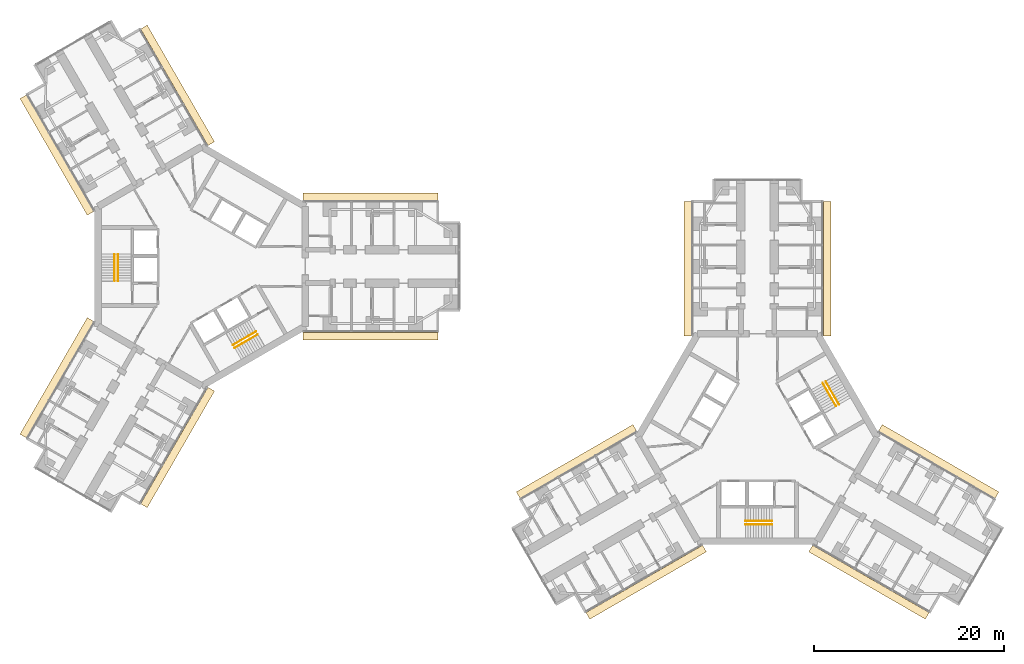
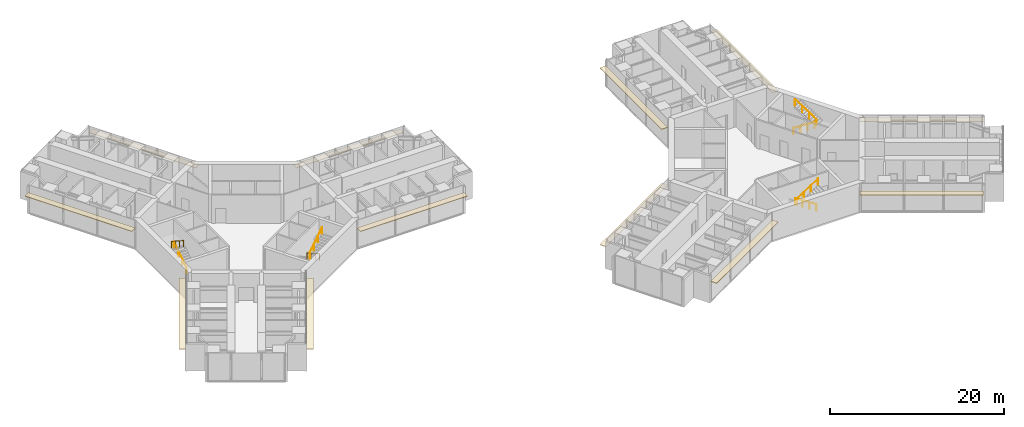
# One storey, part 24 of 24: 12 coverings, 8 railings.
"""IFC4 building model written with IfcOpenShell, lengths in metres."""

import ifcopenshell
import ifcopenshell.guid

model = None  # the IFC model being written
_history = None  # IfcOwnerHistory: only IFC2X3 demands one
_inside = {}  # id of a spatial element -> (the spatial element, [elements in it])
_under = {}  # id of a project, library or spatial element -> (it, [spatial elements below it])
_declared = {}  # id of a project -> (the project, [libraries it declares])
_typed = {}  # id of a type object -> (the type object, [elements of that type])
_made_of = {}  # id of a material, layer set ... -> (it, [elements and type objects made of it])


def new_model(schema):
    """Start an empty IFC model of exactly this schema.

    Asked for "IFC4X3", IfcOpenShell would pick the latest addendum, in which some entities
    have other attributes; the version numbers below select the first issue.
    IFC2X3 requires an IfcOwnerHistory on every rooted entity: one is made here for all.
    """
    global model, _history
    if schema == "IFC4X3":
        model = ifcopenshell.file(schema_version=(4, 3, 0, 0))
    else:
        model = ifcopenshell.file(schema=schema)
    _inside.clear()
    _under.clear()
    _declared.clear()
    _typed.clear()
    _made_of.clear()
    _history = None
    if model.schema == "IFC2X3":
        org = make("IfcOrganization", Name="unknown")
        user = make(
            "IfcPersonAndOrganization",
            ThePerson=make("IfcPerson", FamilyName="unknown"),
            TheOrganization=org,
        )
        app = make(
            "IfcApplication",
            ApplicationDeveloper=org,
            Version="unknown",
            ApplicationFullName="unknown",
            ApplicationIdentifier="unknown",
        )
        _history = make(
            "IfcOwnerHistory",
            OwningUser=user,
            OwningApplication=app,
            ChangeAction="ADDED",
            CreationDate=0,
        )
    return model


def make(cls, **values):
    """One entity of the class cls with the attributes given. An attribute that is None is left unset."""
    return model.create_entity(
        cls, **{name: value for name, value in values.items() if value is not None}
    )


def rooted(cls, **values):
    """An entity with a GlobalId (a new one), such as an element, a storey or a relation."""
    return make(cls, GlobalId=ifcopenshell.guid.new(), OwnerHistory=_history, **values)


def si_unit(unit_type, name, prefix=None):
    """IfcSIUnit, for example si_unit("LENGTHUNIT", "METRE", prefix="MILLI")."""
    return make("IfcSIUnit", UnitType=unit_type, Prefix=prefix, Name=name)


def assignment(units):
    """IfcUnitAssignment: the units of a project."""
    return None if units is None else make("IfcUnitAssignment", Units=units)


def point(xyz):
    """IfcCartesianPoint."""
    return None if xyz is None else make("IfcCartesianPoint", Coordinates=xyz)


def direction(xyz):
    """IfcDirection."""
    return None if xyz is None else make("IfcDirection", DirectionRatios=xyz)


def frame(location, z_axis=None, x_axis=None):
    """IfcAxis2Placement3D, a coordinate frame: its origin and axes. An axis left out is left unset."""
    return make(
        "IfcAxis2Placement3D",
        Location=point(location),
        Axis=direction(z_axis),
        RefDirection=direction(x_axis),
    )


def frame_2d(location, x_axis=None):
    """IfcAxis2Placement2D, a coordinate frame in the plane: its origin and x axis."""
    return make(
        "IfcAxis2Placement2D", Location=point(location), RefDirection=direction(x_axis)
    )


def origin():
    """The frame at (0, 0, 0) with its axes left unset."""
    return frame((0.0, 0.0, 0.0))


def origin_2d():
    """The frame at (0, 0) in the plane with its x axis left unset."""
    return frame_2d((0.0, 0.0))


def place(relative_to, where):
    """IfcLocalPlacement: puts the frame where relative to a parent placement (None: the world)."""
    return make(
        "IfcLocalPlacement", PlacementRelTo=relative_to, RelativePlacement=where
    )


def context(
    kind, dimensions, precision=None, world=None, true_north=None, identifier=None
):
    """IfcGeometricRepresentationContext, for example the 3D "Model" context."""
    return make(
        "IfcGeometricRepresentationContext",
        ContextIdentifier=identifier,
        ContextType=kind,
        CoordinateSpaceDimension=dimensions,
        Precision=precision,
        WorldCoordinateSystem=world,
        TrueNorth=true_north,
    )


def subcontext(parent, identifier, kind, view, scale=None):
    """IfcGeometricRepresentationSubContext, for example "Body" below "Model"."""
    return make(
        "IfcGeometricRepresentationSubContext",
        ContextIdentifier=identifier,
        ContextType=kind,
        ParentContext=parent,
        TargetScale=scale,
        TargetView=view,
    )


def project(units=None, contexts=None):
    """IfcProject with its units and contexts."""
    return rooted(
        "IfcProject",
        Name="project",
        RepresentationContexts=contexts,
        UnitsInContext=assignment(units),
    )


def spatial(cls, under=None, at=None, **own):
    """A site, building, storey or space (cls), placed at a placement, below another one or the project."""
    s = rooted(cls, ObjectPlacement=at, **own)
    if under is not None:
        _under.setdefault(under.id(), (under, []))[1].append(s)
    return s


def profile(cls, at=None, kind="AREA", **sizes):
    """A parametric profile (cls). Its sizes go by their IFC names, for example OverallWidth=200.0."""
    return make(cls, ProfileType=kind, Position=at, **sizes)


def rectangle(**sizes):
    """IfcRectangleProfileDef."""
    return profile("IfcRectangleProfileDef", **sizes)


def circle(**sizes):
    """IfcCircleProfileDef."""
    return profile("IfcCircleProfileDef", **sizes)


def extrude(swept, where, along, depth):
    """IfcExtrudedAreaSolid: the profile swept, set in the frame where, extruded along a direction by depth."""
    return make(
        "IfcExtrudedAreaSolid",
        SweptArea=swept,
        Position=where,
        ExtrudedDirection=direction(along),
        Depth=depth,
    )


def shape(context_of_items, identifier, shape_type, items):
    """IfcShapeRepresentation: the items that make up one representation, for example the "Body"."""
    return make(
        "IfcShapeRepresentation",
        ContextOfItems=context_of_items,
        RepresentationIdentifier=identifier,
        RepresentationType=shape_type,
        Items=items,
    )


def material(Name=None, Category=None):
    """IfcMaterial."""
    return make("IfcMaterial", Name=Name, Category=Category)


def layer(
    of_material, thickness, ventilated=None, Name=None, Category=None, Priority=None
):
    """IfcMaterialLayer: one layer of a wall or slab, of a material (None: an air gap)."""
    return make(
        "IfcMaterialLayer",
        Material=of_material,
        LayerThickness=thickness,
        IsVentilated=ventilated,
        Name=Name,
        Category=Category,
        Priority=Priority,
    )


def layer_set(layers, Name=None):
    """IfcMaterialLayerSet."""
    return make("IfcMaterialLayerSet", MaterialLayers=layers, LayerSetName=Name)


def made_of(thing, what):
    """Note that an element or type object is made of a material, layer set ...; save() writes the relation."""
    if what is not None:
        _made_of.setdefault(what.id(), (what, []))[1].append(thing)
    return thing


def type_object(cls, material=None, **own):
    """A type object (cls), such as IfcWallType, which elements share."""
    return made_of(rooted(cls, **own), material)


def element(
    cls,
    number,
    at=None,
    inside=None,
    cuts=None,
    type_object=None,
    material=None,
    context=None,
    identifier="Body",
    shape_type=None,
    held_by="IfcProductDefinitionShape",
    body=None,
    shapes=None,
    **own,
):
    """One element of the class cls, such as IfcWall. Its Tag is "e" and its number.

    at: its placement. inside: the storey or other place that contains it. cuts: it is an
    opening in that element (IfcRelVoidsElement). A single representation is given by context,
    identifier, shape_type and body (its items); several are given by shapes. held_by: the class
    of the entity that holds the representations. save() writes the other relations.
    """
    e = rooted(cls, Tag="e%d" % number, ObjectPlacement=at, **own)
    if body is not None:
        shapes = [shape(context, identifier, shape_type, body)]
    if shapes is not None:
        e.Representation = make(held_by, Representations=shapes)
    if inside is not None:
        _inside.setdefault(inside.id(), (inside, []))[1].append(e)
    if cuts is not None:
        rooted(
            "IfcRelVoidsElement", RelatingBuildingElement=cuts, RelatedOpeningElement=e
        )
    if type_object is not None:
        _typed.setdefault(type_object.id(), (type_object, []))[1].append(e)
    return made_of(e, material)


def aggregate(whole, parts):
    """IfcRelAggregates: a whole, such as a stair, and the parts it consists of."""
    return rooted("IfcRelAggregates", RelatingObject=whole, RelatedObjects=parts)


def save(model, path):
    """Write the relations noted so far, then the file.

    IfcRelAggregates (storeys below a building ...), IfcRelContainedInSpatialStructure (elements
    in a storey), IfcRelDefinesByType, IfcRelAssociatesMaterial and IfcRelDeclares: one each for
    every whole, place, type object, material and project.
    """
    for whole, parts in _under.values():
        aggregate(whole, parts)
    for where, things in _inside.values():
        rooted(
            "IfcRelContainedInSpatialStructure",
            RelatedElements=things,
            RelatingStructure=where,
        )
    for kind, things in _typed.values():
        rooted("IfcRelDefinesByType", RelatedObjects=things, RelatingType=kind)
    for what, things in _made_of.values():
        rooted("IfcRelAssociatesMaterial", RelatedObjects=things, RelatingMaterial=what)
    for by, libraries in _declared.values():
        rooted("IfcRelDeclares", RelatingContext=by, RelatedDefinitions=libraries)
    model.write(path)


model = new_model("IFC4")

# Units and contexts
model_context = context("Model", 3, precision=1e-05, world=origin(), true_north=direction((0.0, 1.0)))
body_context = subcontext(model_context, "Body", "Model", "MODEL_VIEW")
ifc_project = project(units=[si_unit("LENGTHUNIT", "METRE"), si_unit("AREAUNIT", "SQUARE_METRE"), si_unit("VOLUMEUNIT", "CUBIC_METRE"), si_unit("PLANEANGLEUNIT", "RADIAN"), si_unit("MASSUNIT", "GRAM", prefix="KILO")], contexts=[model_context])

# Site, building, storey
site_placement = place(None, origin())
site = spatial("IfcSite", under=ifc_project, at=site_placement, CompositionType="ELEMENT")
building_placement = place(site_placement, origin())
building = spatial("IfcBuilding", under=site, at=building_placement, Name="Upepo Twin Towers", CompositionType="ELEMENT")
storey_placement = place(building_placement, frame((0.0, 0.0, 60.5)))
storey = spatial("IfcBuildingStorey", under=building, at=storey_placement, Name="L14", CompositionType="ELEMENT", Elevation=60.5)

# Coverings
ifc_material_1 = material(Name="Anodised aluminium, pale silver", Category="aluminium")
ifc_layer = layer(ifc_material_1, 0.080078125)
ifc_layer_set = layer_set([ifc_layer], Name="Brise-soleil blade 800 pale aluminium")
covering_type = type_object("IfcCoveringType", Name="Brise-soleil blade 800 pale aluminium", PredefinedType="USERDEFINED", material=ifc_layer_set)
for number, where, z_axis, x_axis, name in (
    (1, (17.7685546875, 7.330078125, 2.909912109375), (0.0, 0.0, 1.0), (1.0, 0.0, 0.0), "T1 L14 wing A brise-soleil L"),
    (2, (17.7685546875, -7.330078125, 2.909912109375), (0.0, 0.0, 1.0), (1.0, 0.0, 0.0), "T1 L14 wing A brise-soleil R"),
    (3, (-15.232177734375, 11.722900390625, 2.909912109375), (0.0, 0.0, 1.0), (-0.50000003023, 0.866025386331, 0.0), "T1 L14 wing B brise-soleil L"),
    (4, (-2.536376953125, 19.052978515625, 2.909912109375), (0.0, 0.0, 1.0), (-0.50000003023, 0.866025386331, 0.0), "T1 L14 wing B brise-soleil R"),
    (5, (-2.536376953125, -19.052978515625, 2.909912109375), (0.0, 0.0, 1.0), (-0.50000003023, -0.866025386331, 0.0), "T1 L14 wing C brise-soleil L"),
    (6, (-15.232177734375, -11.722900390625, 2.909912109375), (0.0, 0.0, 1.0), (-0.50000003023, -0.866025386331, 0.0), "T1 L14 wing C brise-soleil R"),
    (7, (51.169921875, -0.2314453125, 2.909912109375), (0.0, 0.0, 1.0), (0.0, 1.0, 0.0), "T2 L14 wing A brise-soleil L"),
    (8, (65.830078125, -0.2314453125, 2.909912109375), (0.0, 0.0, 1.0), (0.0, 1.0, 0.0), "T2 L14 wing A brise-soleil R"),
    (9, (46.777099609375, -33.232177734375, 2.909912109375), (0.0, 0.0, 1.0), (-0.866025386331, -0.50000003023, 0.0), "T2 L14 wing B brise-soleil L"),
    (10, (39.447021484375, -20.536376953125, 2.909912109375), (0.0, 0.0, 1.0), (-0.866025386331, -0.50000003023, 0.0), "T2 L14 wing B brise-soleil R"),
    (11, (77.552978515625, -20.536376953125, 2.909912109375), (0.0, 0.0, 1.0), (0.866025386331, -0.50000003023, 0.0), "T2 L14 wing C brise-soleil L"),
    (12, (70.222900390625, -33.232177734375, 2.909912109375), (0.0, 0.0, 1.0), (0.866025386331, -0.50000003023, 0.0), "T2 L14 wing C brise-soleil R"),
):
    element("IfcCovering", number, at=place(storey_placement, frame(where, z_axis=z_axis, x_axis=x_axis)), inside=storey, type_object=covering_type, Name=name, ObjectType="SUNSHADE", PredefinedType="USERDEFINED", context=body_context, shape_type="SweptSolid", body=[
        extrude(rectangle(XDim=14.162841796875, YDim=0.800048828125, at=origin_2d()), origin(), (0.0, 0.0, 1.0), 0.080078125),
    ])

# Railings
ifc_material_2 = material(Name="Stainless steel", Category="steel")
railing_type = type_object("IfcRailingType", Name="Stair handrail 900", PredefinedType="HANDRAIL", material=ifc_material_2)
railing_1_placement = place(storey_placement, frame((-8.800048828125, -1.52001953125, 0.181884765625)))
element("IfcRailing", 13, at=railing_1_placement, inside=storey, type_object=railing_type, Name="T1 stair S1 L14 handrail 1", PredefinedType="HANDRAIL", context=body_context, shape_type="SweptSolid", body=[
    extrude(circle(Radius=0.02392578125, at=origin_2d()), frame((0.0, 0.0, 0.8759765625), z_axis=(0.0, 0.838705829183, 0.544584733623), x_axis=(-1.0, 0.0, 0.0)), (0.0, 0.0, 1.0), 3.338623046875),
    extrude(circle(Radius=0.02099609375, at=origin_2d()), origin(), (0.0, 0.0, 1.0), 0.851806640625),
    extrude(circle(Radius=0.02099609375, at=origin_2d()), frame((0.0, 0.933349609375, 0.60595703125)), (0.0, 0.0, 1.0), 0.851806640625),
    extrude(circle(Radius=0.02099609375, at=origin_2d()), frame((0.0, 1.86669921875, 1.212158203125)), (0.0, 0.0, 1.0), 0.851806640625),
    extrude(circle(Radius=0.02099609375, at=origin_2d()), frame((0.0, 2.800048828125, 1.818115234375)), (0.0, 0.0, 1.0), 0.851806640625),
])
railing_2_placement = place(storey_placement, frame((-9.158447265625, 1.280029296875, 2.181884765625)))
element("IfcRailing", 14, at=railing_2_placement, inside=storey, type_object=railing_type, Name="T1 stair S1 L14 handrail 2", PredefinedType="HANDRAIL", context=body_context, shape_type="SweptSolid", body=[
    extrude(circle(Radius=0.02392578125, at=origin_2d()), frame((0.0, 0.0, 0.8759765625), z_axis=(0.0, -0.838705829183, 0.544584733623), x_axis=(1.0, 0.0, 0.0)), (0.0, 0.0, 1.0), 3.338623046875),
    extrude(circle(Radius=0.02099609375, at=origin_2d()), origin(), (0.0, 0.0, 1.0), 0.851806640625),
    extrude(circle(Radius=0.02099609375, at=origin_2d()), frame((0.0, -0.933349609375, 0.60595703125)), (0.0, 0.0, 1.0), 0.851806640625),
    extrude(circle(Radius=0.02099609375, at=origin_2d()), frame((0.0, -1.86669921875, 1.212158203125)), (0.0, 0.0, 1.0), 0.851806640625),
    extrude(circle(Radius=0.02099609375, at=origin_2d()), frame((0.0, -2.800048828125, 1.818115234375)), (0.0, 0.0, 1.0), 0.851806640625),
])
railing_3_placement = place(storey_placement, frame((5.71630859375, -6.861083984375, 0.181884765625)))
element("IfcRailing", 15, at=railing_3_placement, inside=storey, type_object=railing_type, Name="T1 stair S2 L14 handrail 1", PredefinedType="HANDRAIL", context=body_context, shape_type="SweptSolid", body=[
    extrude(circle(Radius=0.02392578125, at=origin_2d()), frame((0.0, 0.0, 0.8759765625), z_axis=(-0.726336304947, -0.419332699614, 0.544605966869), x_axis=(0.49998411664, -0.866034573852, 0.0)), (0.0, 0.0, 1.0), 3.33837890625),
    extrude(circle(Radius=0.02099609375, at=origin_2d()), origin(), (0.0, 0.0, 1.0), 0.851806640625),
    extrude(circle(Radius=0.02099609375, at=origin_2d()), frame((-0.808349609375, -0.466552734375, 0.60595703125)), (0.0, 0.0, 1.0), 0.851806640625),
    extrude(circle(Radius=0.02099609375, at=origin_2d()), frame((-1.616455078125, -0.933349609375, 1.212158203125)), (0.0, 0.0, 1.0), 0.851806640625),
    extrude(circle(Radius=0.02099609375, at=origin_2d()), frame((-2.4248046875, -1.39990234375, 1.818115234375)), (0.0, 0.0, 1.0), 0.851806640625),
])
railing_4_placement = place(storey_placement, frame((3.470703125, -8.5712890625, 2.181884765625)))
element("IfcRailing", 16, at=railing_4_placement, inside=storey, type_object=railing_type, Name="T1 stair S2 L14 handrail 2", PredefinedType="HANDRAIL", context=body_context, shape_type="SweptSolid", body=[
    extrude(circle(Radius=0.02392578125, at=origin_2d()), frame((0.0, 0.0, 0.8759765625), z_axis=(0.726336304947, 0.419332699614, 0.544605966869), x_axis=(-0.49998411664, 0.866034573852, 0.0)), (0.0, 0.0, 1.0), 3.33837890625),
    extrude(circle(Radius=0.02099609375, at=origin_2d()), origin(), (0.0, 0.0, 1.0), 0.851806640625),
    extrude(circle(Radius=0.02099609375, at=origin_2d()), frame((0.808349609375, 0.466552734375, 0.60595703125)), (0.0, 0.0, 1.0), 0.851806640625),
    extrude(circle(Radius=0.02099609375, at=origin_2d()), frame((1.616455078125, 0.933349609375, 1.212158203125)), (0.0, 0.0, 1.0), 0.851806640625),
    extrude(circle(Radius=0.02099609375, at=origin_2d()), frame((2.4248046875, 1.39990234375, 1.818115234375)), (0.0, 0.0, 1.0), 0.851806640625),
])
railing_5_placement = place(storey_placement, frame((60.02001953125, -26.800048828125, 0.181884765625)))
element("IfcRailing", 17, at=railing_5_placement, inside=storey, type_object=railing_type, Name="T2 stair S1 L14 handrail 1", PredefinedType="HANDRAIL", context=body_context, shape_type="SweptSolid", body=[
    extrude(circle(Radius=0.02392578125, at=origin_2d()), frame((0.0, 0.0, 0.8759765625), z_axis=(-0.838705829183, 0.0, 0.544584733623), x_axis=(0.0, -1.0, 0.0)), (0.0, 0.0, 1.0), 3.338623046875),
    extrude(circle(Radius=0.02099609375, at=origin_2d()), origin(), (0.0, 0.0, 1.0), 0.851806640625),
    extrude(circle(Radius=0.02099609375, at=origin_2d()), frame((-0.933349609375, 0.0, 0.60595703125)), (0.0, 0.0, 1.0), 0.851806640625),
    extrude(circle(Radius=0.02099609375, at=origin_2d()), frame((-1.86669921875, 0.0, 1.212158203125)), (0.0, 0.0, 1.0), 0.851806640625),
    extrude(circle(Radius=0.02099609375, at=origin_2d()), frame((-2.800048828125, 0.0, 1.818115234375)), (0.0, 0.0, 1.0), 0.851806640625),
])
railing_6_placement = place(storey_placement, frame((57.219970703125, -27.158447265625, 2.181884765625)))
element("IfcRailing", 18, at=railing_6_placement, inside=storey, type_object=railing_type, Name="T2 stair S1 L14 handrail 2", PredefinedType="HANDRAIL", context=body_context, shape_type="SweptSolid", body=[
    extrude(circle(Radius=0.02392578125, at=origin_2d()), frame((0.0, 0.0, 0.8759765625), z_axis=(0.838705829183, 0.0, 0.544584733623), x_axis=(0.0, 1.0, 0.0)), (0.0, 0.0, 1.0), 3.338623046875),
    extrude(circle(Radius=0.02099609375, at=origin_2d()), origin(), (0.0, 0.0, 1.0), 0.851806640625),
    extrude(circle(Radius=0.02099609375, at=origin_2d()), frame((0.933349609375, 0.0, 0.60595703125)), (0.0, 0.0, 1.0), 0.851806640625),
    extrude(circle(Radius=0.02099609375, at=origin_2d()), frame((1.86669921875, 0.0, 1.212158203125)), (0.0, 0.0, 1.0), 0.851806640625),
    extrude(circle(Radius=0.02099609375, at=origin_2d()), frame((2.800048828125, 0.0, 1.818115234375)), (0.0, 0.0, 1.0), 0.851806640625),
])
railing_7_placement = place(storey_placement, frame((65.361083984375, -12.28369140625, 0.181884765625)))
element("IfcRailing", 19, at=railing_7_placement, inside=storey, type_object=railing_type, Name="T2 stair S2 L14 handrail 1", PredefinedType="HANDRAIL", context=body_context, shape_type="SweptSolid", body=[
    extrude(circle(Radius=0.02392578125, at=origin_2d()), frame((0.0, 0.0, 0.8759765625), z_axis=(0.419332699614, -0.726336304947, 0.544605966869), x_axis=(0.866034573852, 0.49998411664, 0.0)), (0.0, 0.0, 1.0), 3.33837890625),
    extrude(circle(Radius=0.02099609375, at=origin_2d()), origin(), (0.0, 0.0, 1.0), 0.851806640625),
    extrude(circle(Radius=0.02099609375, at=origin_2d()), frame((0.466552734375, -0.808349609375, 0.60595703125)), (0.0, 0.0, 1.0), 0.851806640625),
    extrude(circle(Radius=0.02099609375, at=origin_2d()), frame((0.933349609375, -1.616455078125, 1.212158203125)), (0.0, 0.0, 1.0), 0.851806640625),
    extrude(circle(Radius=0.02099609375, at=origin_2d()), frame((1.39990234375, -2.4248046875, 1.818115234375)), (0.0, 0.0, 1.0), 0.851806640625),
])
railing_8_placement = place(storey_placement, frame((67.0712890625, -14.529296875, 2.181884765625)))
element("IfcRailing", 20, at=railing_8_placement, inside=storey, type_object=railing_type, Name="T2 stair S2 L14 handrail 2", PredefinedType="HANDRAIL", context=body_context, shape_type="SweptSolid", body=[
    extrude(circle(Radius=0.02392578125, at=origin_2d()), frame((0.0, 0.0, 0.8759765625), z_axis=(-0.419332699614, 0.726336304947, 0.544605966869), x_axis=(-0.866034573852, -0.49998411664, 0.0)), (0.0, 0.0, 1.0), 3.33837890625),
    extrude(circle(Radius=0.02099609375, at=origin_2d()), origin(), (0.0, 0.0, 1.0), 0.851806640625),
    extrude(circle(Radius=0.02099609375, at=origin_2d()), frame((-0.466552734375, 0.808349609375, 0.60595703125)), (0.0, 0.0, 1.0), 0.851806640625),
    extrude(circle(Radius=0.02099609375, at=origin_2d()), frame((-0.933349609375, 1.616455078125, 1.212158203125)), (0.0, 0.0, 1.0), 0.851806640625),
    extrude(circle(Radius=0.02099609375, at=origin_2d()), frame((-1.39990234375, 2.4248046875, 1.818115234375)), (0.0, 0.0, 1.0), 0.851806640625),
])

save(model, "model.ifc")
